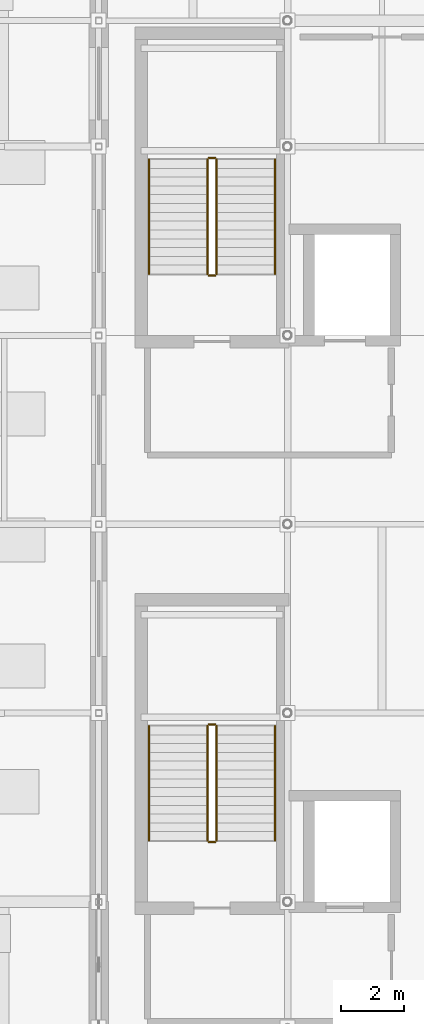
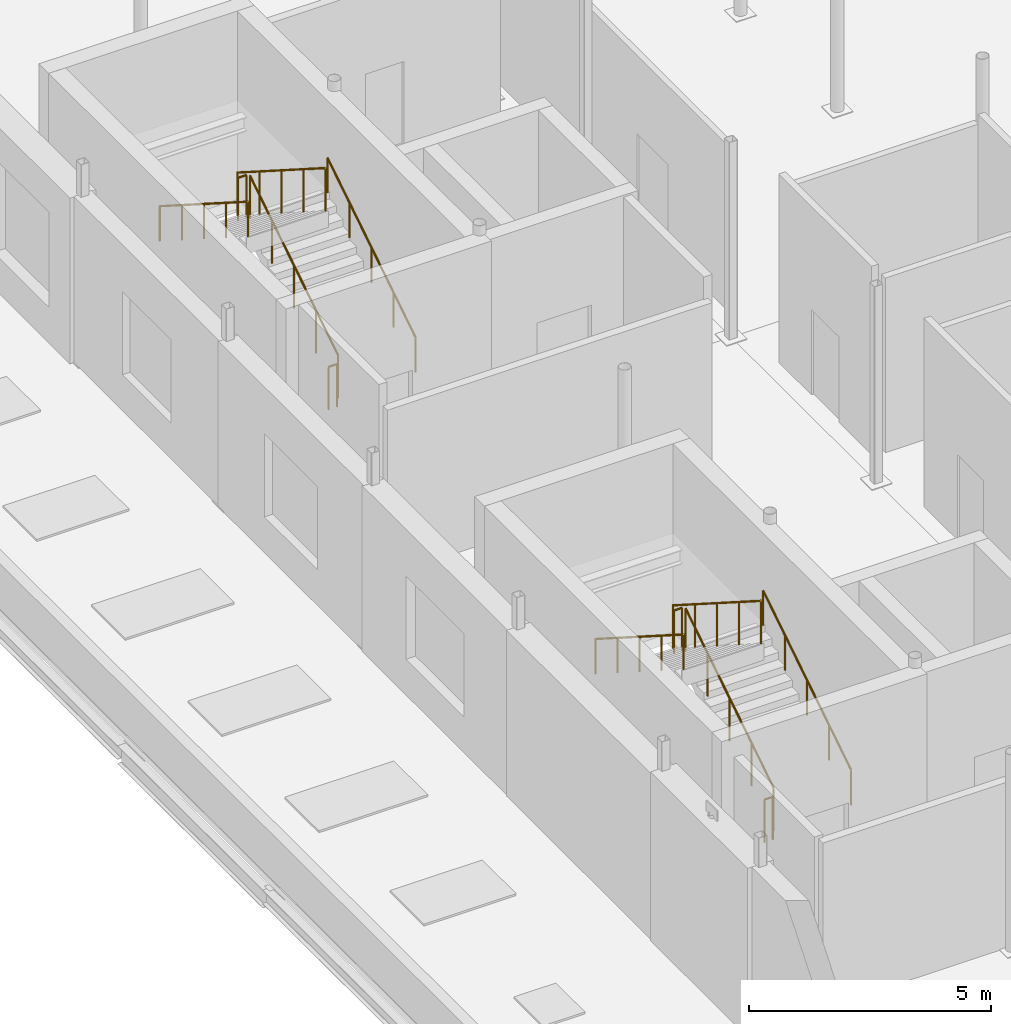
# One storey, part 26 of 27: 12 railings.
"""IFC4 building model written with IfcOpenShell, lengths in metres."""

from ifc_helpers import new_model, si_unit, direction, frame, origin, origin_2d, place, context, subcontext, project, spatial, circle, extrude, material, type_object, element, save


model = new_model("IFC4")

# Units and contexts
model_context = context("Model", 3, precision=1e-05, world=origin(), true_north=direction((0.0, 1.0)))
body_context = subcontext(model_context, "Body", "Model", "MODEL_VIEW")
ifc_project = project(units=[si_unit("LENGTHUNIT", "METRE"), si_unit("AREAUNIT", "SQUARE_METRE"), si_unit("VOLUMEUNIT", "CUBIC_METRE"), si_unit("PLANEANGLEUNIT", "RADIAN"), si_unit("MASSUNIT", "GRAM", prefix="KILO")], contexts=[model_context])

# Site, building, storey
site_placement = place(None, origin())
site = spatial("IfcSite", under=ifc_project, at=site_placement, CompositionType="ELEMENT")
building_placement = place(site_placement, origin())
building = spatial("IfcBuilding", under=site, at=building_placement, Name="Verrall Gate Interchange", CompositionType="ELEMENT")
storey_placement = place(building_placement, frame((0.0, 0.0, 23.60009765625)))
storey = spatial("IfcBuildingStorey", under=building, at=storey_placement, Name="L06", CompositionType="ELEMENT", Elevation=23.60009765625)

# Railings
ifc_material_1 = material(Name="Brushed Stainless-Steel Guardrail and Handrail System", Category="steel")
railing_type_1 = type_object("IfcRailingType", Name="GR-02 Interior Atrium and Stair Guardrail 1100", PredefinedType="GUARDRAIL", material=ifc_material_1)
railing_1_placement = place(storey_placement, frame((9.75, 17.949951171875, 0.178466796875)))
element("IfcRailing", 1, at=railing_1_placement, inside=storey, type_object=railing_type_1, Name="L06 ST-01 stair guard 1", PredefinedType="GUARDRAIL", context=body_context, shape_type="SweptSolid", body=[
    extrude(circle(Radius=0.02392578125, at=origin_2d()), frame((0.0, 0.0, 1.076171875), z_axis=(0.0, 0.843127859045, 0.537713132908), x_axis=(-1.0, 0.0, 0.0)), (0.0, 0.0, 1.0), 4.3173828125),
    extrude(circle(Radius=0.02099609375, at=origin_2d()), origin(), (0.0, 0.0, 1.0), 1.052001953125),
    extrude(circle(Radius=0.02099609375, at=origin_2d()), frame((0.0, 0.91015625, 0.580322265625)), (0.0, 0.0, 1.0), 1.052001953125),
    extrude(circle(Radius=0.02099609375, at=origin_2d()), frame((0.0, 1.820068359375, 1.16064453125)), (0.0, 0.0, 1.0), 1.052001953125),
    extrude(circle(Radius=0.02099609375, at=origin_2d()), frame((0.0, 2.72998046875, 1.7412109375)), (0.0, 0.0, 1.0), 1.052001953125),
    extrude(circle(Radius=0.02099609375, at=origin_2d()), frame((0.0, 3.64013671875, 2.321533203125)), (0.0, 0.0, 1.0), 1.052001953125),
])
railing_2_placement = place(storey_placement, frame((9.699951171875, 21.639892578125, 2.5)))
element("IfcRailing", 2, at=railing_2_placement, inside=storey, type_object=railing_type_1, Name="L06 ST-01 stair guard 2", PredefinedType="GUARDRAIL", context=body_context, shape_type="SweptSolid", body=[
    extrude(circle(Radius=0.02392578125, at=origin_2d()), frame((0.0, 0.0, 1.076171875), z_axis=(-1.0, 0.0, 0.0), x_axis=(0.0, -1.0, 0.0)), (0.0, 0.0, 1.0), 0.199951171875),
    extrude(circle(Radius=0.02099609375, at=origin_2d()), origin(), (0.0, 0.0, 1.0), 1.052001953125),
    extrude(circle(Radius=0.02099609375, at=origin_2d()), frame((-0.199951171875, 0.0, 0.0)), (0.0, 0.0, 1.0), 1.052001953125),
])
railing_3_placement = place(storey_placement, frame((9.449951171875, 21.590087890625, 2.678466796875)))
element("IfcRailing", 3, at=railing_3_placement, inside=storey, type_object=railing_type_1, Name="L06 ST-01 stair guard 3", PredefinedType="GUARDRAIL", context=body_context, shape_type="SweptSolid", body=[
    extrude(circle(Radius=0.02392578125, at=origin_2d()), frame((0.0, 0.0, 1.076171875), z_axis=(0.0, -0.843127859045, 0.537713132908), x_axis=(1.0, 0.0, 0.0)), (0.0, 0.0, 1.0), 4.3173828125),
    extrude(circle(Radius=0.02099609375, at=origin_2d()), origin(), (0.0, 0.0, 1.0), 1.052001953125),
    extrude(circle(Radius=0.02099609375, at=origin_2d()), frame((0.0, -0.91015625, 0.580322265625)), (0.0, 0.0, 1.0), 1.052001953125),
    extrude(circle(Radius=0.02099609375, at=origin_2d()), frame((0.0, -1.820068359375, 1.16064453125)), (0.0, 0.0, 1.0), 1.052001953125),
    extrude(circle(Radius=0.02099609375, at=origin_2d()), frame((0.0, -2.72998046875, 1.7412109375)), (0.0, 0.0, 1.0), 1.052001953125),
    extrude(circle(Radius=0.02099609375, at=origin_2d()), frame((0.0, -3.64013671875, 2.321533203125)), (0.0, 0.0, 1.0), 1.052001953125),
])
railing_4_placement = place(storey_placement, frame((9.699951171875, 17.89990234375, 0.0)))
element("IfcRailing", 4, at=railing_4_placement, inside=storey, type_object=railing_type_1, Name="L06 ST-01 stair guard 4", PredefinedType="GUARDRAIL", context=body_context, shape_type="SweptSolid", body=[
    extrude(circle(Radius=0.02392578125, at=origin_2d()), frame((0.0, 0.0, 1.076171875), z_axis=(-1.0, 0.0, 0.0), x_axis=(0.0, -1.0, 0.0)), (0.0, 0.0, 1.0), 0.199951171875),
    extrude(circle(Radius=0.02099609375, at=origin_2d()), origin(), (0.0, 0.0, 1.0), 1.052001953125),
    extrude(circle(Radius=0.02099609375, at=origin_2d()), frame((-0.199951171875, 0.0, 0.0)), (0.0, 0.0, 1.0), 1.052001953125),
])
railing_5_placement = place(storey_placement, frame((9.75, 35.949951171875, 0.178466796875)))
element("IfcRailing", 5, at=railing_5_placement, inside=storey, type_object=railing_type_1, Name="L06 ST-02 stair guard 1", PredefinedType="GUARDRAIL", context=body_context, shape_type="SweptSolid", body=[
    extrude(circle(Radius=0.02392578125, at=origin_2d()), frame((0.0, 0.0, 1.076171875), z_axis=(0.0, 0.843127859045, 0.537713132908), x_axis=(-1.0, 0.0, 0.0)), (0.0, 0.0, 1.0), 4.3173828125),
    extrude(circle(Radius=0.02099609375, at=origin_2d()), origin(), (0.0, 0.0, 1.0), 1.052001953125),
    extrude(circle(Radius=0.02099609375, at=origin_2d()), frame((0.0, 0.91015625, 0.580322265625)), (0.0, 0.0, 1.0), 1.052001953125),
    extrude(circle(Radius=0.02099609375, at=origin_2d()), frame((0.0, 1.820068359375, 1.16064453125)), (0.0, 0.0, 1.0), 1.052001953125),
    extrude(circle(Radius=0.02099609375, at=origin_2d()), frame((0.0, 2.72998046875, 1.7412109375)), (0.0, 0.0, 1.0), 1.052001953125),
    extrude(circle(Radius=0.02099609375, at=origin_2d()), frame((0.0, 3.64013671875, 2.321533203125)), (0.0, 0.0, 1.0), 1.052001953125),
])
railing_6_placement = place(storey_placement, frame((9.699951171875, 39.639892578125, 2.5)))
element("IfcRailing", 6, at=railing_6_placement, inside=storey, type_object=railing_type_1, Name="L06 ST-02 stair guard 2", PredefinedType="GUARDRAIL", context=body_context, shape_type="SweptSolid", body=[
    extrude(circle(Radius=0.02392578125, at=origin_2d()), frame((0.0, 0.0, 1.076171875), z_axis=(-1.0, 0.0, 0.0), x_axis=(0.0, -1.0, 0.0)), (0.0, 0.0, 1.0), 0.199951171875),
    extrude(circle(Radius=0.02099609375, at=origin_2d()), origin(), (0.0, 0.0, 1.0), 1.052001953125),
    extrude(circle(Radius=0.02099609375, at=origin_2d()), frame((-0.199951171875, 0.0, 0.0)), (0.0, 0.0, 1.0), 1.052001953125),
])
railing_7_placement = place(storey_placement, frame((9.449951171875, 39.590087890625, 2.678466796875)))
element("IfcRailing", 7, at=railing_7_placement, inside=storey, type_object=railing_type_1, Name="L06 ST-02 stair guard 3", PredefinedType="GUARDRAIL", context=body_context, shape_type="SweptSolid", body=[
    extrude(circle(Radius=0.02392578125, at=origin_2d()), frame((0.0, 0.0, 1.076171875), z_axis=(0.0, -0.843127859045, 0.537713132908), x_axis=(1.0, 0.0, 0.0)), (0.0, 0.0, 1.0), 4.3173828125),
    extrude(circle(Radius=0.02099609375, at=origin_2d()), origin(), (0.0, 0.0, 1.0), 1.052001953125),
    extrude(circle(Radius=0.02099609375, at=origin_2d()), frame((0.0, -0.91015625, 0.580322265625)), (0.0, 0.0, 1.0), 1.052001953125),
    extrude(circle(Radius=0.02099609375, at=origin_2d()), frame((0.0, -1.820068359375, 1.16064453125)), (0.0, 0.0, 1.0), 1.052001953125),
    extrude(circle(Radius=0.02099609375, at=origin_2d()), frame((0.0, -2.72998046875, 1.7412109375)), (0.0, 0.0, 1.0), 1.052001953125),
    extrude(circle(Radius=0.02099609375, at=origin_2d()), frame((0.0, -3.64013671875, 2.321533203125)), (0.0, 0.0, 1.0), 1.052001953125),
])
railing_8_placement = place(storey_placement, frame((9.699951171875, 35.89990234375, 0.0)))
element("IfcRailing", 8, at=railing_8_placement, inside=storey, type_object=railing_type_1, Name="L06 ST-02 stair guard 4", PredefinedType="GUARDRAIL", context=body_context, shape_type="SweptSolid", body=[
    extrude(circle(Radius=0.02392578125, at=origin_2d()), frame((0.0, 0.0, 1.076171875), z_axis=(-1.0, 0.0, 0.0), x_axis=(0.0, -1.0, 0.0)), (0.0, 0.0, 1.0), 0.199951171875),
    extrude(circle(Radius=0.02099609375, at=origin_2d()), origin(), (0.0, 0.0, 1.0), 1.052001953125),
    extrude(circle(Radius=0.02099609375, at=origin_2d()), frame((-0.199951171875, 0.0, 0.0)), (0.0, 0.0, 1.0), 1.052001953125),
])
ifc_material_2 = material(Name="Brushed Stainless-Steel Guardrail and Handrail System", Category="steel")
railing_type_2 = type_object("IfcRailingType", Name="HR-01 Stair and Ramp Pitch-Line Handrail 920", PredefinedType="HANDRAIL", material=ifc_material_2)
railing_9_placement = place(storey_placement, frame((11.60009765625, 17.949951171875, 0.178466796875)))
element("IfcRailing", 9, at=railing_9_placement, inside=storey, type_object=railing_type_2, Name="L06 ST-01 stair handrail 1", PredefinedType="HANDRAIL", context=body_context, shape_type="SweptSolid", body=[
    extrude(circle(Radius=0.02392578125, at=origin_2d()), frame((0.0, 0.0, 0.8759765625), z_axis=(0.0, 0.843127859045, 0.537713132908), x_axis=(-1.0, 0.0, 0.0)), (0.0, 0.0, 1.0), 4.3173828125),
    extrude(circle(Radius=0.02099609375, at=origin_2d()), origin(), (0.0, 0.0, 1.0), 0.851806640625),
    extrude(circle(Radius=0.02099609375, at=origin_2d()), frame((0.0, 0.91015625, 0.580322265625)), (0.0, 0.0, 1.0), 0.851806640625),
    extrude(circle(Radius=0.02099609375, at=origin_2d()), frame((0.0, 1.820068359375, 1.16064453125)), (0.0, 0.0, 1.0), 0.851806640625),
    extrude(circle(Radius=0.02099609375, at=origin_2d()), frame((0.0, 2.72998046875, 1.7412109375)), (0.0, 0.0, 1.0), 0.851806640625),
    extrude(circle(Radius=0.02099609375, at=origin_2d()), frame((0.0, 3.64013671875, 2.321533203125)), (0.0, 0.0, 1.0), 0.851806640625),
])
railing_10_placement = place(storey_placement, frame((7.60009765625, 21.590087890625, 2.678466796875)))
element("IfcRailing", 10, at=railing_10_placement, inside=storey, type_object=railing_type_2, Name="L06 ST-01 stair handrail 2", PredefinedType="HANDRAIL", context=body_context, shape_type="SweptSolid", body=[
    extrude(circle(Radius=0.02392578125, at=origin_2d()), frame((0.0, 0.0, 0.8759765625), z_axis=(0.0, -0.843127859045, 0.537713132908), x_axis=(1.0, 0.0, 0.0)), (0.0, 0.0, 1.0), 4.3173828125),
    extrude(circle(Radius=0.02099609375, at=origin_2d()), origin(), (0.0, 0.0, 1.0), 0.851806640625),
    extrude(circle(Radius=0.02099609375, at=origin_2d()), frame((0.0, -0.91015625, 0.580322265625)), (0.0, 0.0, 1.0), 0.851806640625),
    extrude(circle(Radius=0.02099609375, at=origin_2d()), frame((0.0, -1.820068359375, 1.16064453125)), (0.0, 0.0, 1.0), 0.851806640625),
    extrude(circle(Radius=0.02099609375, at=origin_2d()), frame((0.0, -2.72998046875, 1.7412109375)), (0.0, 0.0, 1.0), 0.851806640625),
    extrude(circle(Radius=0.02099609375, at=origin_2d()), frame((0.0, -3.64013671875, 2.321533203125)), (0.0, 0.0, 1.0), 0.851806640625),
])
railing_11_placement = place(storey_placement, frame((11.60009765625, 35.949951171875, 0.178466796875)))
element("IfcRailing", 11, at=railing_11_placement, inside=storey, type_object=railing_type_2, Name="L06 ST-02 stair handrail 1", PredefinedType="HANDRAIL", context=body_context, shape_type="SweptSolid", body=[
    extrude(circle(Radius=0.02392578125, at=origin_2d()), frame((0.0, 0.0, 0.8759765625), z_axis=(0.0, 0.843127859045, 0.537713132908), x_axis=(-1.0, 0.0, 0.0)), (0.0, 0.0, 1.0), 4.3173828125),
    extrude(circle(Radius=0.02099609375, at=origin_2d()), origin(), (0.0, 0.0, 1.0), 0.851806640625),
    extrude(circle(Radius=0.02099609375, at=origin_2d()), frame((0.0, 0.91015625, 0.580322265625)), (0.0, 0.0, 1.0), 0.851806640625),
    extrude(circle(Radius=0.02099609375, at=origin_2d()), frame((0.0, 1.820068359375, 1.16064453125)), (0.0, 0.0, 1.0), 0.851806640625),
    extrude(circle(Radius=0.02099609375, at=origin_2d()), frame((0.0, 2.72998046875, 1.7412109375)), (0.0, 0.0, 1.0), 0.851806640625),
    extrude(circle(Radius=0.02099609375, at=origin_2d()), frame((0.0, 3.64013671875, 2.321533203125)), (0.0, 0.0, 1.0), 0.851806640625),
])
railing_12_placement = place(storey_placement, frame((7.60009765625, 39.590087890625, 2.678466796875)))
element("IfcRailing", 12, at=railing_12_placement, inside=storey, type_object=railing_type_2, Name="L06 ST-02 stair handrail 2", PredefinedType="HANDRAIL", context=body_context, shape_type="SweptSolid", body=[
    extrude(circle(Radius=0.02392578125, at=origin_2d()), frame((0.0, 0.0, 0.8759765625), z_axis=(0.0, -0.843127859045, 0.537713132908), x_axis=(1.0, 0.0, 0.0)), (0.0, 0.0, 1.0), 4.3173828125),
    extrude(circle(Radius=0.02099609375, at=origin_2d()), origin(), (0.0, 0.0, 1.0), 0.851806640625),
    extrude(circle(Radius=0.02099609375, at=origin_2d()), frame((0.0, -0.91015625, 0.580322265625)), (0.0, 0.0, 1.0), 0.851806640625),
    extrude(circle(Radius=0.02099609375, at=origin_2d()), frame((0.0, -1.820068359375, 1.16064453125)), (0.0, 0.0, 1.0), 0.851806640625),
    extrude(circle(Radius=0.02099609375, at=origin_2d()), frame((0.0, -2.72998046875, 1.7412109375)), (0.0, 0.0, 1.0), 0.851806640625),
    extrude(circle(Radius=0.02099609375, at=origin_2d()), frame((0.0, -3.64013671875, 2.321533203125)), (0.0, 0.0, 1.0), 0.851806640625),
])

save(model, "model.ifc")
